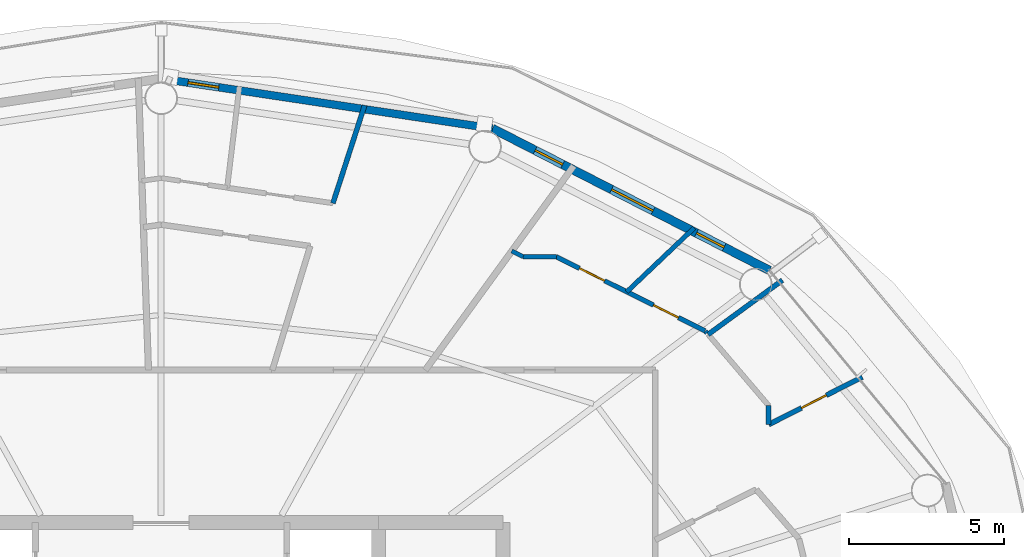
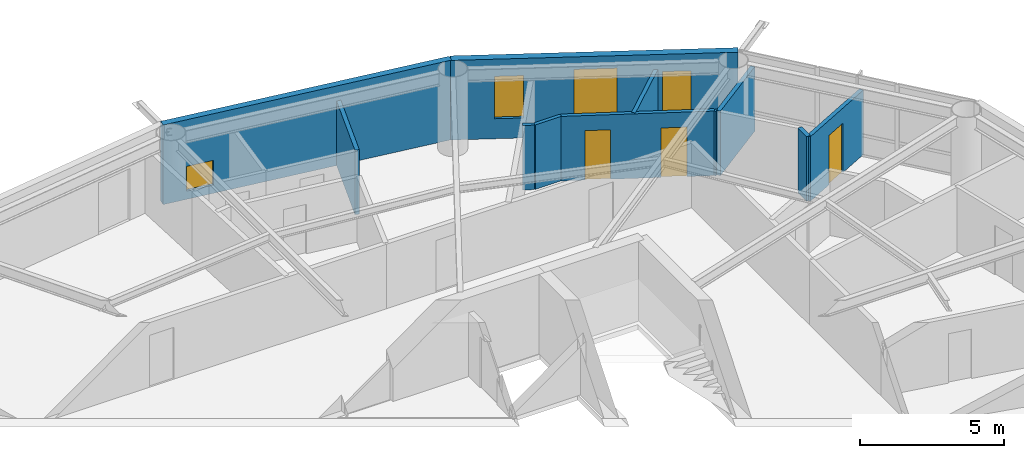
# One storey, part 26 of 30: 11 walls, 4 windows, 3 doors, 7 openings.
"""IFC4 building model written with IfcOpenShell, lengths in metres."""

from ifc_helpers import new_model, si_unit, direction, frame, frame_2d, origin, place, context, subcontext, project, spatial, rectangle, extrude, material, layer, layer_set, type_object, element, fill, save


model = new_model("IFC4")

# Units and contexts
model_context = context("Model", 3, precision=1e-05, world=origin(), true_north=direction((0.0, 1.0)))
body_context = subcontext(model_context, "Body", "Model", "MODEL_VIEW")
ifc_project = project(units=[si_unit("LENGTHUNIT", "METRE"), si_unit("AREAUNIT", "SQUARE_METRE"), si_unit("VOLUMEUNIT", "CUBIC_METRE"), si_unit("PLANEANGLEUNIT", "RADIAN"), si_unit("MASSUNIT", "GRAM", prefix="KILO")], contexts=[model_context])

# Site, building, storey
site_placement = place(None, origin())
site = spatial("IfcSite", under=ifc_project, at=site_placement, CompositionType="ELEMENT")
building_placement = place(site_placement, origin())
building = spatial("IfcBuilding", under=site, at=building_placement, Name="Sarneth Arch Tower", CompositionType="ELEMENT")
storey_placement = place(building_placement, frame((0.0, 0.0, 161.39990234375)))
storey = spatial("IfcBuildingStorey", under=building, at=storey_placement, Name="L40", CompositionType="ELEMENT", Elevation=161.39990234375)

# Wall, opening, window
ifc_material_1 = material(Name="Extruded terracotta rainscreen on Concrete C40/50 backing", Category="masonry")
ifc_layer_1 = layer(ifc_material_1, 0.25)
ifc_layer_set_1 = layer_set([ifc_layer_1], Name="Extruded terracotta rainscreen on Concrete C40/50 backing")
wall_type_1 = type_object("IfcWallType", Name="WALL-EXT-SPAND-250", PredefinedType="SOLIDWALL", material=ifc_layer_set_1)
wall_1_placement = place(storey_placement, frame((58.662841796875, 61.475341796875, 0.0), z_axis=(0.0, 0.0, 1.0), x_axis=(-0.988863993413, 0.148822049884, 0.0)))
wall_1 = element("IfcWall", 1, at=wall_1_placement, inside=storey, type_object=wall_type_1, Name="L40 Terracotta perimeter wall 04", PredefinedType="SOLIDWALL", context=body_context, shape_type="SweptSolid", body=[
    extrude(rectangle(XDim=10.782958984375, YDim=0.25, at=frame_2d((5.3916015625, 0.0))), origin(), (0.0, 0.0, 1.0), 3.380126953125),
])
opening_1_placement = place(wall_1_placement, frame((8.9091796875, 0.0, 0.35009765625)))
opening_1 = element("IfcOpeningElement", 2, at=opening_1_placement, cuts=wall_1, Name="Opening W-14", PredefinedType="OPENING", context=body_context, shape_type="SweptSolid", body=[
    extrude(rectangle(XDim=1.0, YDim=1.050048828125, at=frame_2d((0.5, 0.52490234375))), frame((0.0, 0.135009765625, 0.0), z_axis=(0.0, -1.0, 0.0), x_axis=(1.0, 0.0, 0.0)), (0.0, 0.0, 1.0), 0.27001953125),
])
ifc_material_2 = material(Name="Thermally broken Aluminium 6063-T6 and low-e laminated IGU", Category="aluminium")
window_type_1 = type_object("IfcWindowType", Name="WIN-TWR-1000x1050", PartitioningType="SINGLE_PANEL", PredefinedType="WINDOW", material=ifc_material_2)
window_1_placement = place(opening_1_placement, origin())
window_1 = element("IfcWindow", 3, at=window_1_placement, inside=storey, type_object=window_type_1, Name="L40 Dwelling bedroom window 02", OverallHeight=1.050048828125, OverallWidth=1.0, PartitioningType="SINGLE_PANEL", PredefinedType="WINDOW", context=body_context, shape_type="SweptSolid", body=[
    extrude(rectangle(XDim=1.0, YDim=1.050048828125, at=frame_2d((0.5, 0.52490234375))), frame((0.0, 0.030029296875, 0.0), z_axis=(0.0, -1.0, 0.0), x_axis=(1.0, 0.0, 0.0)), (0.0, 0.0, 1.0), 0.06005859375),
])
fill(opening_1, window_1)

# Wall, openings, windows
ifc_material_3 = material(Name="Extruded terracotta rainscreen on Concrete C40/50 backing", Category="masonry")
ifc_layer_2 = layer(ifc_material_3, 0.280029296875)
ifc_layer_set_2 = layer_set([ifc_layer_2], Name="Extruded terracotta rainscreen on Concrete C40/50 backing")
wall_type_2 = type_object("IfcWallType", Name="WALL-EXT-TERRA-280", PredefinedType="SOLIDWALL", material=ifc_layer_set_2)
wall_2_placement = place(storey_placement, frame((67.576171875, 56.90576171875, 0.0), z_axis=(0.0, 0.0, 1.0), x_axis=(-0.889872523182, 0.456209263919, 0.0)))
wall_2 = element("IfcWall", 4, at=wall_2_placement, inside=storey, type_object=wall_type_2, Name="L40 Terracotta perimeter wall 03", PredefinedType="SOLIDWALL", context=body_context, shape_type="SweptSolid", body=[
    extrude(rectangle(XDim=10.016357421875, YDim=0.280029296875, at=frame_2d((5.00830078125, 0.0))), origin(), (0.0, 0.0, 1.0), 3.380126953125),
])
opening_2_placement = place(wall_2_placement, frame((4.212890625, 0.0, 0.85009765625)))
opening_2 = element("IfcOpeningElement", 5, at=opening_2_placement, cuts=wall_2, Name="Opening W-06", PredefinedType="OPENING", context=body_context, shape_type="SweptSolid", body=[
    extrude(rectangle(XDim=1.5, YDim=2.0, at=frame_2d((0.75, 1.0))), frame((0.0, 0.14990234375, 0.0), z_axis=(0.0, -1.0, 0.0), x_axis=(1.0, 0.0, 0.0)), (0.0, 0.0, 1.0), 0.300048828125),
])
opening_3_placement = place(wall_2_placement, frame((7.479248046875, 0.0, 0.85009765625)))
opening_3 = element("IfcOpeningElement", 6, at=opening_3_placement, cuts=wall_2, Name="Opening W-11", PredefinedType="OPENING", context=body_context, shape_type="SweptSolid", body=[
    extrude(rectangle(XDim=1.0, YDim=1.800048828125, at=frame_2d((0.5, 0.89990234375))), frame((0.0, 0.14990234375, 0.0), z_axis=(0.0, -1.0, 0.0), x_axis=(1.0, 0.0, 0.0)), (0.0, 0.0, 1.0), 0.300048828125),
])
opening_4_placement = place(wall_2_placement, frame((1.642822265625, 0.0, 0.85009765625)))
opening_4 = element("IfcOpeningElement", 7, at=opening_4_placement, cuts=wall_2, Name="Opening W-11", PredefinedType="OPENING", context=body_context, shape_type="SweptSolid", body=[
    extrude(rectangle(XDim=1.0, YDim=1.800048828125, at=frame_2d((0.5, 0.89990234375))), frame((0.0, 0.14990234375, 0.0), z_axis=(0.0, -1.0, 0.0), x_axis=(1.0, 0.0, 0.0)), (0.0, 0.0, 1.0), 0.300048828125),
])
ifc_material_4 = material(Name="Thermally broken Aluminium 6063-T6 and low-e laminated IGU", Category="aluminium")
window_type_2 = type_object("IfcWindowType", Name="WIN-TWR-1000x1800", PartitioningType="SINGLE_PANEL", PredefinedType="WINDOW", material=ifc_material_4)
window_2_placement = place(opening_3_placement, origin())
window_2 = element("IfcWindow", 8, at=window_2_placement, inside=storey, type_object=window_type_2, Name="L40 Exterior window 03B", OverallHeight=1.800048828125, OverallWidth=1.0, PartitioningType="SINGLE_PANEL", PredefinedType="WINDOW", context=body_context, shape_type="SweptSolid", body=[
    extrude(rectangle(XDim=1.0, YDim=1.800048828125, at=frame_2d((0.5, 0.89990234375))), frame((0.0, 0.030029296875, 0.0), z_axis=(0.0, -1.0, 0.0), x_axis=(1.0, 0.0, 0.0)), (0.0, 0.0, 1.0), 0.06005859375),
])
fill(opening_3, window_2)
window_3_placement = place(opening_4_placement, origin())
window_3 = element("IfcWindow", 9, at=window_3_placement, inside=storey, type_object=window_type_2, Name="L40 Dwelling bedroom window 01", OverallHeight=1.800048828125, OverallWidth=1.0, PartitioningType="SINGLE_PANEL", PredefinedType="WINDOW", context=body_context, shape_type="SweptSolid", body=[
    extrude(rectangle(XDim=1.0, YDim=1.800048828125, at=frame_2d((0.5, 0.89990234375))), frame((0.0, 0.030029296875, 0.0), z_axis=(0.0, -1.0, 0.0), x_axis=(1.0, 0.0, 0.0)), (0.0, 0.0, 1.0), 0.06005859375),
])
fill(opening_4, window_3)
ifc_material_5 = material(Name="Thermally broken Aluminium 6063-T6 and low-e laminated IGU", Category="aluminium")
window_type_3 = type_object("IfcWindowType", Name="WIN-TWR-1500x2000", PartitioningType="SINGLE_PANEL", PredefinedType="WINDOW", material=ifc_material_5)
window_4_placement = place(opening_2_placement, origin())
window_4 = element("IfcWindow", 10, at=window_4_placement, inside=storey, type_object=window_type_3, Name="L40 Exterior window 03A", OverallHeight=2.0, OverallWidth=1.5, PartitioningType="SINGLE_PANEL", PredefinedType="WINDOW", context=body_context, shape_type="SweptSolid", body=[
    extrude(rectangle(XDim=1.5, YDim=2.0, at=frame_2d((0.75, 1.0))), frame((0.0, 0.030029296875, 0.0), z_axis=(0.0, -1.0, 0.0), x_axis=(1.0, 0.0, 0.0)), (0.0, 0.0, 1.0), 0.06005859375),
])
fill(opening_2, window_4)

# Walls
ifc_material_6 = material(Name="Apartment internal stud partition", Category="gypsum")
ifc_layer_3 = layer(ifc_material_6, 0.139892578125)
ifc_layer_set_3 = layer_set([ifc_layer_3], Name="Apartment internal stud partition")
wall_type_3 = type_object("IfcWallType", Name="WALL-PART-140", PredefinedType="PARTITIONING", material=ifc_layer_set_3)
wall_3_placement = place(storey_placement, frame((59.651123046875, 57.35009765625, 0.0), z_axis=(0.0, 0.0, 1.0), x_axis=(1.0, 0.0, 0.0)))
element("IfcWall", 11, at=wall_3_placement, inside=storey, type_object=wall_type_3, Name="L40 Interior partition W-L40-TP-032", PredefinedType="PARTITIONING", context=body_context, shape_type="SweptSolid", body=[
    extrude(rectangle(XDim=1.062255859375, YDim=0.139892578125, at=frame_2d((0.53125, 0.0))), origin(), (0.0, 0.0, 1.0), 2.739990234375),
])
wall_4_placement = place(storey_placement, frame((59.284912109375, 57.532470703125, 0.0), z_axis=(0.0, 0.0, 1.0), x_axis=(0.895142158028, -0.445780794698, 0.0)))
element("IfcWall", 12, at=wall_4_placement, inside=storey, type_object=wall_type_3, Name="L40 Interior partition W-L40-TP-031", PredefinedType="PARTITIONING", context=body_context, shape_type="SweptSolid", body=[
    extrude(rectangle(XDim=0.4091796875, YDim=0.139892578125, at=frame_2d((0.20458984375, 0.0))), origin(), (0.0, 0.0, 1.0), 2.739990234375),
])
ifc_material_7 = material(Name="Acoustic gypsum stud partition", Category="gypsum")
ifc_layer_4 = layer(ifc_material_7, 0.14990234375)
ifc_layer_set_4 = layer_set([ifc_layer_4], Name="Acoustic gypsum stud partition")
wall_type_4 = type_object("IfcWallType", Name="WALL-PART-150", PredefinedType="PARTITIONING", material=ifc_layer_set_4)
wall_5_placement = place(storey_placement, frame((62.983154296875, 56.218505859375, 0.0), z_axis=(0.0, 0.0, 1.0), x_axis=(0.725364351486, 0.688365133918, 0.0)))
element("IfcWall", 13, at=wall_5_placement, inside=storey, type_object=wall_type_4, Name="L40 Interior partition W-L40-TP-039", PredefinedType="PARTITIONING", context=body_context, shape_type="SweptSolid", body=[
    extrude(rectangle(XDim=2.9892578125, YDim=0.14990234375, at=frame_2d((1.49462890625, 0.0))), origin(), (0.0, 0.0, 1.0), 2.739990234375),
])

# Wall, openings, doors
wall_6_placement = place(storey_placement, frame((65.5048828125, 54.961181640625, 0.0), z_axis=(0.0, 0.0, 1.0), x_axis=(-0.894955531207, 0.446155350929, 0.0)))
wall_6 = element("IfcWall", 14, at=wall_6_placement, inside=storey, type_object=wall_type_4, Name="L40 Interior partition W-L40-TP-030", PredefinedType="PARTITIONING", context=body_context, shape_type="SweptSolid", body=[
    extrude(rectangle(XDim=5.35400390625, YDim=0.14990234375, at=frame_2d((2.677001953125, 0.0))), origin(), (0.0, 0.0, 1.0), 2.739990234375),
])
opening_5_placement = place(wall_6_placement, frame((0.958740234375, 0.0, 0.0)))
opening_5 = element("IfcOpeningElement", 15, at=opening_5_placement, cuts=wall_6, Name="Opening ID-01", PredefinedType="OPENING", context=body_context, shape_type="SweptSolid", body=[
    extrude(rectangle(XDim=0.89990234375, YDim=2.10009765625, at=frame_2d((0.449951171875, 1.050048828125))), frame((0.0, 0.0849609375, 0.0), z_axis=(0.0, -1.0, 0.0), x_axis=(1.0, 0.0, 0.0)), (0.0, 0.0, 1.0), 0.169921875),
])
opening_6_placement = place(wall_6_placement, frame((3.61865234375, 0.0, 0.0)))
opening_6 = element("IfcOpeningElement", 16, at=opening_6_placement, cuts=wall_6, Name="Opening ID-01", PredefinedType="OPENING", context=body_context, shape_type="SweptSolid", body=[
    extrude(rectangle(XDim=0.89990234375, YDim=2.10009765625, at=frame_2d((0.449951171875, 1.050048828125))), frame((0.0, 0.0849609375, 0.0), z_axis=(0.0, -1.0, 0.0), x_axis=(1.0, 0.0, 0.0)), (0.0, 0.0, 1.0), 0.169921875),
])
ifc_material_8 = material(Name="Engineered hardwood flush door", Category="wood")
door_type = type_object("IfcDoorType", Name="DR-INT-900", OperationType="SINGLE_SWING_LEFT", PredefinedType="DOOR", material=ifc_material_8)
door_1_placement = place(opening_5_placement, origin())
door_1 = element("IfcDoor", 17, at=door_1_placement, inside=storey, type_object=door_type, Name="L40 Interior door DR-L40-U1-BED1", OperationType="SINGLE_SWING_LEFT", OverallHeight=2.10009765625, OverallWidth=0.89990234375, PredefinedType="DOOR", context=body_context, shape_type="SweptSolid", body=[
    extrude(rectangle(XDim=0.89990234375, YDim=2.10009765625, at=frame_2d((0.449951171875, 1.050048828125))), frame((0.0, 0.02490234375, 0.0), z_axis=(0.0, -1.0, 0.0), x_axis=(1.0, 0.0, 0.0)), (0.0, 0.0, 1.0), 0.050048828125),
])
fill(opening_5, door_1)
door_2_placement = place(opening_6_placement, origin())
door_2 = element("IfcDoor", 18, at=door_2_placement, inside=storey, type_object=door_type, Name="L40 Interior door DR-L40-U1-BED2", OperationType="SINGLE_SWING_LEFT", OverallHeight=2.10009765625, OverallWidth=0.89990234375, PredefinedType="DOOR", context=body_context, shape_type="SweptSolid", body=[
    extrude(rectangle(XDim=0.89990234375, YDim=2.10009765625, at=frame_2d((0.449951171875, 1.050048828125))), frame((0.0, 0.02490234375, 0.0), z_axis=(0.0, -1.0, 0.0), x_axis=(1.0, 0.0, 0.0)), (0.0, 0.0, 1.0), 0.050048828125),
])
fill(opening_6, door_2)

# Wall
wall_7_placement = place(storey_placement, frame((65.559814453125, 54.896728515625, 0.0), z_axis=(0.0, 0.0, 1.0), x_axis=(-0.6481623323, 0.761502193685, 0.0)))
element("IfcWall", 19, at=wall_7_placement, inside=storey, type_object=wall_type_4, Name="L40 Interior partition W-L40-TP-029", PredefinedType="PARTITIONING", context=body_context, shape_type="SweptSolid", body=[
    extrude(rectangle(XDim=0.06884765625, YDim=0.14990234375, at=frame_2d((0.034423828125, 0.0))), origin(), (0.0, 0.0, 1.0), 2.739990234375),
])

# Wall, opening, door
ifc_material_9 = material(Name="Kitchen wet service chase wall", Category="gypsum")
ifc_layer_5 = layer(ifc_material_9, 0.159912109375)
ifc_layer_set_5 = layer_set([ifc_layer_5], Name="Kitchen wet service chase wall")
wall_type_5 = type_object("IfcWallType", Name="WALL-PLUMB-160", PredefinedType="PLUMBINGWALL", material=ifc_layer_set_5)
wall_8_placement = place(storey_placement, frame((70.5615234375, 53.479736328125, 0.0), z_axis=(0.0, 0.0, 1.0), x_axis=(-0.891269321093, -0.453474362317, 0.0)))
wall_8 = element("IfcWall", 20, at=wall_8_placement, inside=storey, type_object=wall_type_5, Name="L40 Interior partition W-L40-TP-023", PredefinedType="PLUMBINGWALL", context=body_context, shape_type="SweptSolid", body=[
    extrude(rectangle(XDim=3.37890625, YDim=0.159912109375, at=frame_2d((1.689453125, 0.0))), origin(), (0.0, 0.0, 1.0), 2.739990234375),
])
opening_7_placement = place(wall_8_placement, frame((1.299560546875, 0.0, 0.0)))
opening_7 = element("IfcOpeningElement", 21, at=opening_7_placement, cuts=wall_8, Name="Opening ID-01", PredefinedType="OPENING", context=body_context, shape_type="SweptSolid", body=[
    extrude(rectangle(XDim=0.89990234375, YDim=2.10009765625, at=frame_2d((0.449951171875, 1.050048828125))), frame((0.0, 0.08984375, 0.0), z_axis=(0.0, -1.0, 0.0), x_axis=(1.0, 0.0, 0.0)), (0.0, 0.0, 1.0), 0.179931640625),
])
door_3_placement = place(opening_7_placement, origin())
door_3 = element("IfcDoor", 22, at=door_3_placement, inside=storey, type_object=door_type, Name="L40 Interior door DR-L40-U1-KIT", OperationType="SINGLE_SWING_LEFT", OverallHeight=2.10009765625, OverallWidth=0.89990234375, PredefinedType="DOOR", context=body_context, shape_type="SweptSolid", body=[
    extrude(rectangle(XDim=0.89990234375, YDim=2.10009765625, at=frame_2d((0.449951171875, 1.050048828125))), frame((0.0, 0.02490234375, 0.0), z_axis=(0.0, -1.0, 0.0), x_axis=(1.0, 0.0, 0.0)), (0.0, 0.0, 1.0), 0.050048828125),
])
fill(opening_7, door_3)

# Walls
wall_9_placement = place(storey_placement, frame((54.5458984375, 62.214599609375, 0.0), z_axis=(0.0, 0.0, 1.0), x_axis=(-0.308058329214, -0.951367471486, 0.0)))
element("IfcWall", 23, at=wall_9_placement, inside=storey, type_object=wall_type_5, Name="L40 Interior partition W-L40-TP-041", PredefinedType="PLUMBINGWALL", context=body_context, shape_type="SweptSolid", body=[
    extrude(rectangle(XDim=3.303955078125, YDim=0.159912109375, at=frame_2d((1.65185546875, 0.0))), origin(), (0.0, 0.0, 1.0), 2.739990234375),
])
wall_10_placement = place(storey_placement, frame((65.60107421875, 54.847900390625, 0.0), z_axis=(0.0, 0.0, 1.0), x_axis=(0.807696422095, 0.589598583559, 0.0)))
element("IfcWall", 24, at=wall_10_placement, inside=storey, type_object=wall_type_5, Name="L40 Interior partition W-L40-TP-037", PredefinedType="PLUMBINGWALL", context=body_context, shape_type="SweptSolid", body=[
    extrude(rectangle(XDim=2.95849609375, YDim=0.159912109375, at=frame_2d((1.479248046875, 0.0))), origin(), (0.0, 0.0, 1.0), 2.739990234375),
])
wall_11_placement = place(storey_placement, frame((67.550048828125, 51.947509765625, 0.0), z_axis=(0.0, 0.0, 1.0), x_axis=(0.0, 1.0, 0.0)))
element("IfcWall", 25, at=wall_11_placement, inside=storey, type_object=wall_type_5, Name="L40 Interior partition W-L40-TP-024", PredefinedType="PLUMBINGWALL", context=body_context, shape_type="SweptSolid", body=[
    extrude(rectangle(XDim=0.609130859375, YDim=0.159912109375, at=frame_2d((0.3046875, 0.0))), origin(), (0.0, 0.0, 1.0), 2.739990234375),
])

save(model, "model.ifc")
